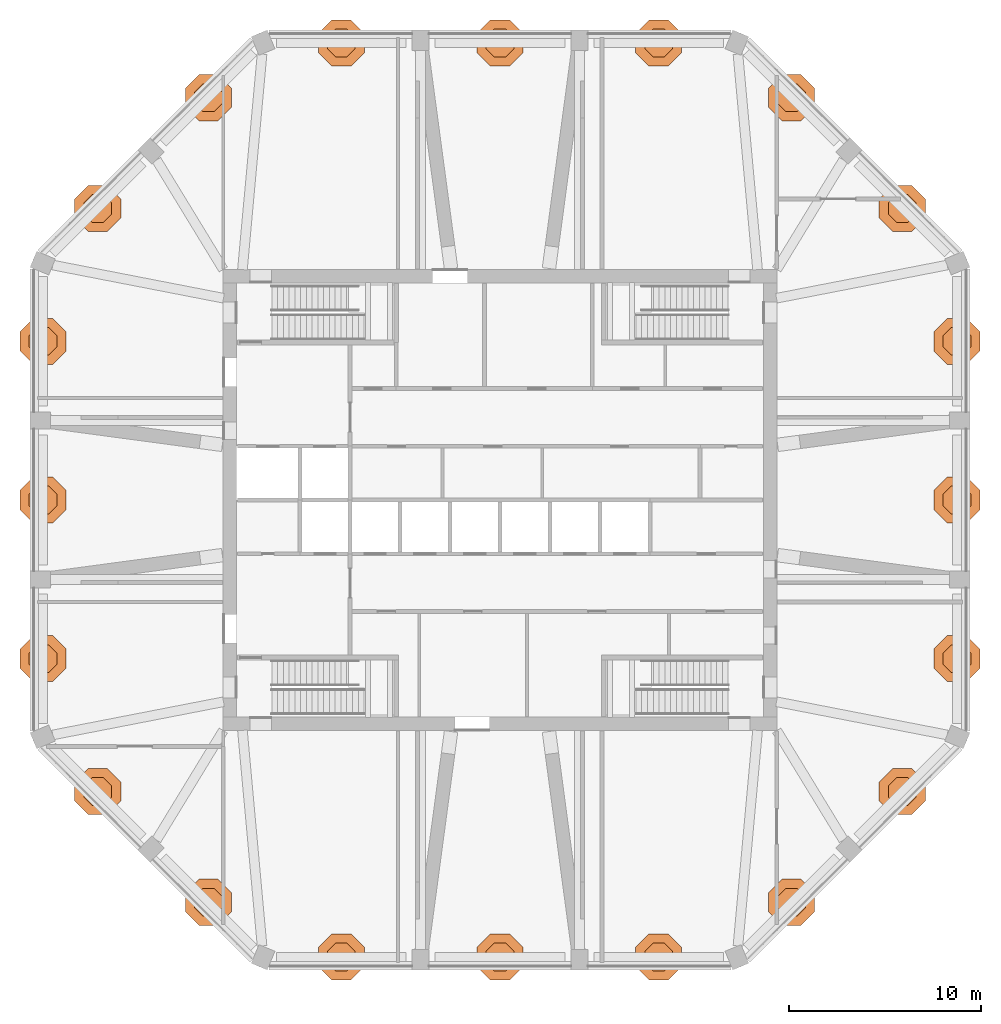
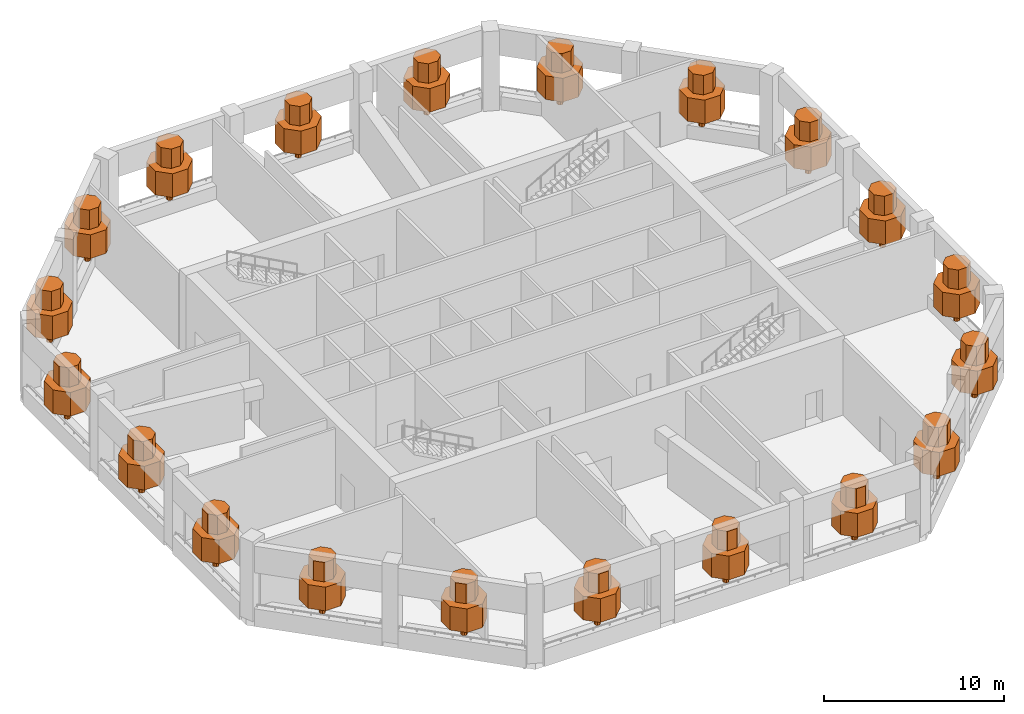
# One storey, part 9 of 9: 20 geographic elements.
"""IFC4 building model written with IfcOpenShell, lengths in metres."""

from ifc_helpers import new_model, si_unit, direction, frame, origin, place, context, subcontext, project, spatial, polyline, outline, extrude, material, type_object, element, save


model = new_model("IFC4")

# Units and contexts
model_context = context("Model", 3, precision=1e-05, world=origin(), true_north=direction((0.0, 1.0)))
body_context = subcontext(model_context, "Body", "Model", "MODEL_VIEW")
ifc_project = project(units=[si_unit("LENGTHUNIT", "METRE"), si_unit("AREAUNIT", "SQUARE_METRE"), si_unit("VOLUMEUNIT", "CUBIC_METRE"), si_unit("PLANEANGLEUNIT", "RADIAN"), si_unit("MASSUNIT", "GRAM", prefix="KILO")], contexts=[model_context])

# Site, building, storey
site_placement = place(None, origin())
site = spatial("IfcSite", under=ifc_project, at=site_placement, CompositionType="ELEMENT")
building_placement = place(site_placement, origin())
building = spatial("IfcBuilding", under=site, at=building_placement, Name="Msitu Wima Residences", CompositionType="ELEMENT")
storey_placement = place(building_placement, frame((0.0, 0.0, 208.5)))
storey = spatial("IfcBuildingStorey", under=building, at=storey_placement, Name="L48", CompositionType="ELEMENT", Elevation=208.5)

# Geographic elements
ifc_material = material(Name="Foliage and planting")
geographic_element_type = type_object("IfcGeographicElementType", Name="Tree TR1", PredefinedType="USERDEFINED", material=ifc_material)
for number, where, z_axis, x_axis, name in (
    (1, (23.77490234375, -8.255859375, 0.89990234375), (0.0, 0.0, 1.0), (1.0, 0.0, 0.0), "Tree refuge L48-E0"),
    (2, (23.77490234375, 0.0, 0.89990234375), (0.0, 0.0, 1.0), (1.0, 0.0, 0.0), "Tree refuge L48-E1"),
    (3, (23.77490234375, 8.255859375, 0.89990234375), (0.0, 0.0, 1.0), (1.0, 0.0, 0.0), "Tree refuge L48-E2"),
    (4, (20.9306640625, 15.162841796875, 0.89990234375), (0.0, 0.0, 1.0), (1.0, 0.0, 0.0), "Tree refuge L48-NE0"),
    (5, (15.162841796875, 20.9306640625, 0.89990234375), (0.0, 0.0, 1.0), (1.0, 0.0, 0.0), "Tree refuge L48-NE1"),
    (6, (8.255859375, 23.77490234375, 0.89990234375), (0.0, 0.0, 1.0), (1.0, 0.0, 0.0), "Tree refuge L48-N0"),
    (7, (0.0, 23.77490234375, 0.89990234375), (0.0, 0.0, 1.0), (1.0, 0.0, 0.0), "Tree refuge L48-N1"),
    (8, (-8.255859375, 23.77490234375, 0.89990234375), (0.0, 0.0, 1.0), (1.0, 0.0, 0.0), "Tree refuge L48-N2"),
    (9, (-15.162841796875, 20.9306640625, 0.89990234375), (0.0, 0.0, 1.0), (1.0, 0.0, 0.0), "Tree refuge L48-NW0"),
    (10, (-20.9306640625, 15.162841796875, 0.89990234375), (0.0, 0.0, 1.0), (1.0, 0.0, 0.0), "Tree refuge L48-NW1"),
    (11, (-23.77490234375, 8.255859375, 0.89990234375), (0.0, 0.0, 1.0), (1.0, 0.0, 0.0), "Tree refuge L48-W0"),
    (12, (-23.77490234375, 0.0, 0.89990234375), (0.0, 0.0, 1.0), (1.0, 0.0, 0.0), "Tree refuge L48-W1"),
    (13, (-23.77490234375, -8.255859375, 0.89990234375), (0.0, 0.0, 1.0), (1.0, 0.0, 0.0), "Tree refuge L48-W2"),
    (14, (-20.9306640625, -15.162841796875, 0.89990234375), (0.0, 0.0, 1.0), (1.0, 0.0, 0.0), "Tree refuge L48-SW0"),
    (15, (-15.162841796875, -20.9306640625, 0.89990234375), (0.0, 0.0, 1.0), (1.0, 0.0, 0.0), "Tree refuge L48-SW1"),
    (16, (-8.255859375, -23.77490234375, 0.89990234375), (0.0, 0.0, 1.0), (1.0, 0.0, 0.0), "Tree refuge L48-S0"),
    (17, (0.0, -23.77490234375, 0.89990234375), (0.0, 0.0, 1.0), (1.0, 0.0, 0.0), "Tree refuge L48-S1"),
    (18, (8.255859375, -23.77490234375, 0.89990234375), (0.0, 0.0, 1.0), (1.0, 0.0, 0.0), "Tree refuge L48-S2"),
    (19, (15.162841796875, -20.9306640625, 0.89990234375), (0.0, 0.0, 1.0), (1.0, 0.0, 0.0), "Tree refuge L48-SE0"),
    (20, (20.9306640625, -15.162841796875, 0.89990234375), (0.0, 0.0, 1.0), (1.0, 0.0, 0.0), "Tree refuge L48-SE1"),
):
    element("IfcGeographicElement", number, at=place(storey_placement, frame(where, z_axis=z_axis, x_axis=x_axis)), inside=storey, type_object=geographic_element_type, Name=name, ObjectType="TREE", PredefinedType="USERDEFINED", context=body_context, shape_type="SweptSolid", body=[
        extrude(outline(polyline([(0.175048828125, 0.072509765625), (0.072509765625, 0.175048828125), (-0.072509765625, 0.175048828125), (-0.175048828125, 0.072509765625), (-0.175048828125, -0.072509765625), (-0.072509765625, -0.175048828125), (0.072509765625, -0.175048828125), (0.175048828125, -0.072509765625), (0.175048828125, 0.072509765625)])), origin(), (0.0, 0.0, 1.0), 1.074951171875),
        extrude(outline(polyline([(1.199951171875, 0.4970703125), (0.4970703125, 1.199951171875), (-0.4970703125, 1.199951171875), (-1.199951171875, 0.4970703125), (-1.199951171875, -0.4970703125), (-0.4970703125, -1.199951171875), (0.4970703125, -1.199951171875), (1.199951171875, -0.4970703125), (1.199951171875, 0.4970703125)])), frame((0.0, 0.0, 0.97509765625)), (0.0, 0.0, 1.0), 1.608642578125),
        extrude(outline(polyline([(0.719970703125, 0.298095703125), (0.298095703125, 0.719970703125), (-0.298095703125, 0.719970703125), (-0.719970703125, 0.298095703125), (-0.719970703125, -0.298095703125), (-0.298095703125, -0.719970703125), (0.298095703125, -0.719970703125), (0.719970703125, -0.298095703125), (0.719970703125, 0.298095703125)])), frame((0.0, 0.0, 2.583740234375)), (0.0, 0.0, 1.0), 1.316162109375),
    ])

save(model, "model.ifc")
